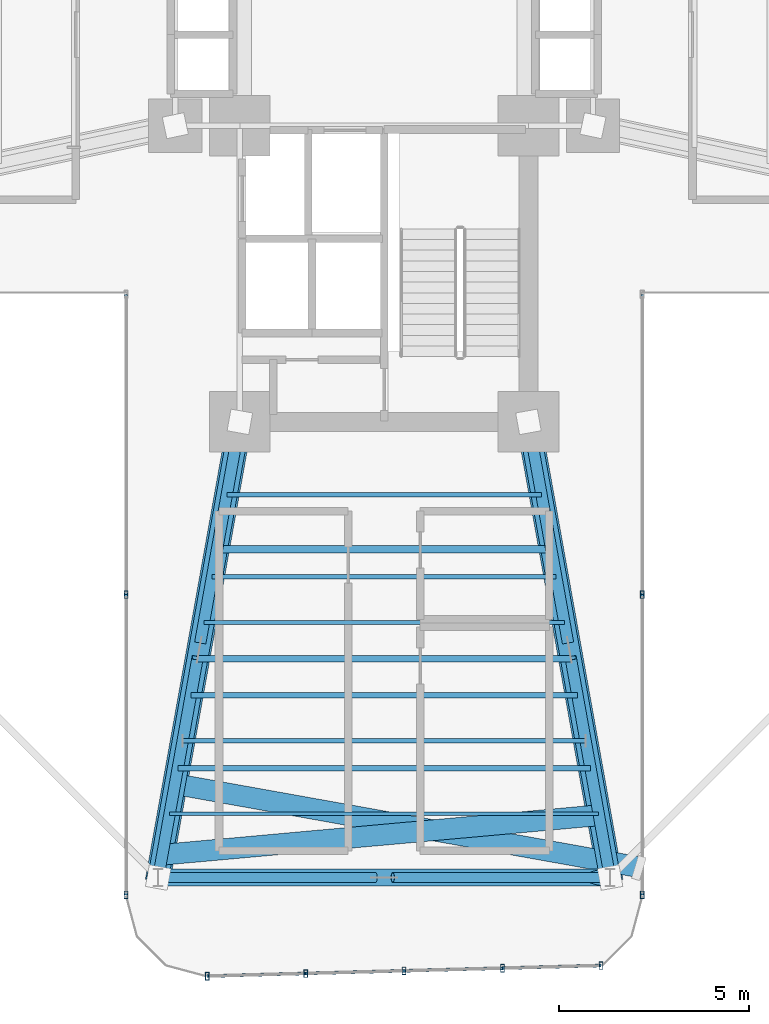
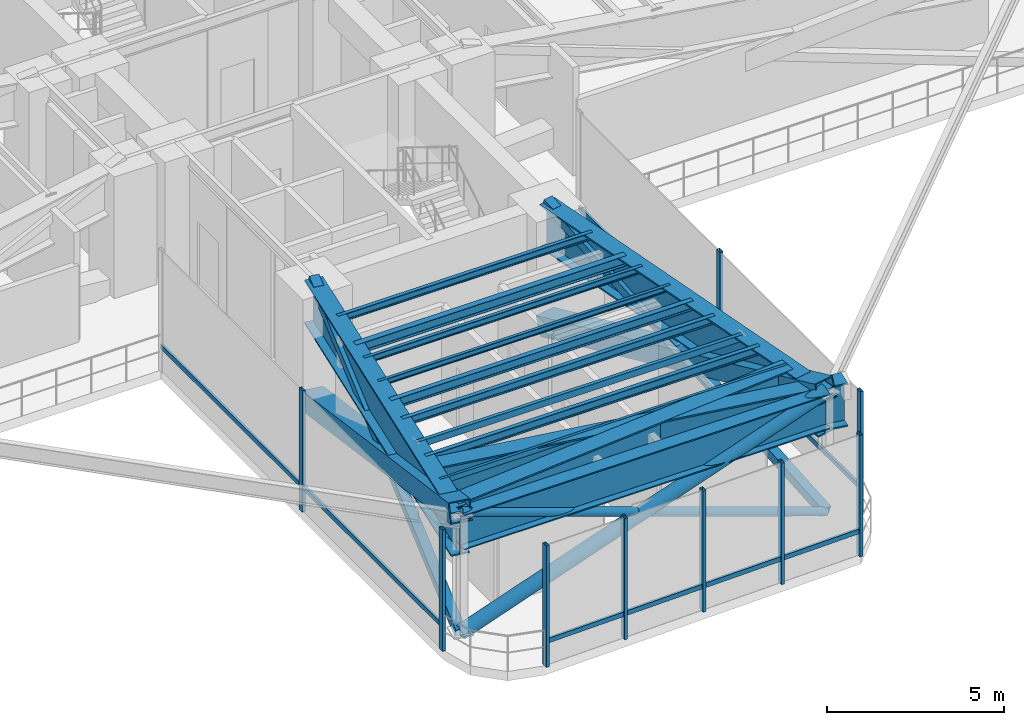
# One storey, part 4 of 18: 26 members, 14 beams, 3 elements without a shape of their own.
"""IFC4 building model written with IfcOpenShell, lengths in metres."""

import ifcopenshell
import ifcopenshell.guid

model = None  # the IFC model being written
_history = None  # IfcOwnerHistory: only IFC2X3 demands one
_inside = {}  # id of a spatial element -> (the spatial element, [elements in it])
_under = {}  # id of a project, library or spatial element -> (it, [spatial elements below it])
_declared = {}  # id of a project -> (the project, [libraries it declares])
_typed = {}  # id of a type object -> (the type object, [elements of that type])
_made_of = {}  # id of a material, layer set ... -> (it, [elements and type objects made of it])


def new_model(schema):
    """Start an empty IFC model of exactly this schema.

    Asked for "IFC4X3", IfcOpenShell would pick the latest addendum, in which some entities
    have other attributes; the version numbers below select the first issue.
    IFC2X3 requires an IfcOwnerHistory on every rooted entity: one is made here for all.
    """
    global model, _history
    if schema == "IFC4X3":
        model = ifcopenshell.file(schema_version=(4, 3, 0, 0))
    else:
        model = ifcopenshell.file(schema=schema)
    _inside.clear()
    _under.clear()
    _declared.clear()
    _typed.clear()
    _made_of.clear()
    _history = None
    if model.schema == "IFC2X3":
        org = make("IfcOrganization", Name="unknown")
        user = make(
            "IfcPersonAndOrganization",
            ThePerson=make("IfcPerson", FamilyName="unknown"),
            TheOrganization=org,
        )
        app = make(
            "IfcApplication",
            ApplicationDeveloper=org,
            Version="unknown",
            ApplicationFullName="unknown",
            ApplicationIdentifier="unknown",
        )
        _history = make(
            "IfcOwnerHistory",
            OwningUser=user,
            OwningApplication=app,
            ChangeAction="ADDED",
            CreationDate=0,
        )
    return model


def make(cls, **values):
    """One entity of the class cls with the attributes given. An attribute that is None is left unset."""
    return model.create_entity(
        cls, **{name: value for name, value in values.items() if value is not None}
    )


def rooted(cls, **values):
    """An entity with a GlobalId (a new one), such as an element, a storey or a relation."""
    return make(cls, GlobalId=ifcopenshell.guid.new(), OwnerHistory=_history, **values)


def si_unit(unit_type, name, prefix=None):
    """IfcSIUnit, for example si_unit("LENGTHUNIT", "METRE", prefix="MILLI")."""
    return make("IfcSIUnit", UnitType=unit_type, Prefix=prefix, Name=name)


def assignment(units):
    """IfcUnitAssignment: the units of a project."""
    return None if units is None else make("IfcUnitAssignment", Units=units)


def point(xyz):
    """IfcCartesianPoint."""
    return None if xyz is None else make("IfcCartesianPoint", Coordinates=xyz)


def direction(xyz):
    """IfcDirection."""
    return None if xyz is None else make("IfcDirection", DirectionRatios=xyz)


def frame(location, z_axis=None, x_axis=None):
    """IfcAxis2Placement3D, a coordinate frame: its origin and axes. An axis left out is left unset."""
    return make(
        "IfcAxis2Placement3D",
        Location=point(location),
        Axis=direction(z_axis),
        RefDirection=direction(x_axis),
    )


def frame_2d(location, x_axis=None):
    """IfcAxis2Placement2D, a coordinate frame in the plane: its origin and x axis."""
    return make(
        "IfcAxis2Placement2D", Location=point(location), RefDirection=direction(x_axis)
    )


def origin():
    """The frame at (0, 0, 0) with its axes left unset."""
    return frame((0.0, 0.0, 0.0))


def origin_2d():
    """The frame at (0, 0) in the plane with its x axis left unset."""
    return frame_2d((0.0, 0.0))


def place(relative_to, where):
    """IfcLocalPlacement: puts the frame where relative to a parent placement (None: the world)."""
    return make(
        "IfcLocalPlacement", PlacementRelTo=relative_to, RelativePlacement=where
    )


def context(
    kind, dimensions, precision=None, world=None, true_north=None, identifier=None
):
    """IfcGeometricRepresentationContext, for example the 3D "Model" context."""
    return make(
        "IfcGeometricRepresentationContext",
        ContextIdentifier=identifier,
        ContextType=kind,
        CoordinateSpaceDimension=dimensions,
        Precision=precision,
        WorldCoordinateSystem=world,
        TrueNorth=true_north,
    )


def subcontext(parent, identifier, kind, view, scale=None):
    """IfcGeometricRepresentationSubContext, for example "Body" below "Model"."""
    return make(
        "IfcGeometricRepresentationSubContext",
        ContextIdentifier=identifier,
        ContextType=kind,
        ParentContext=parent,
        TargetScale=scale,
        TargetView=view,
    )


def project(units=None, contexts=None):
    """IfcProject with its units and contexts."""
    return rooted(
        "IfcProject",
        Name="project",
        RepresentationContexts=contexts,
        UnitsInContext=assignment(units),
    )


def spatial(cls, under=None, at=None, **own):
    """A site, building, storey or space (cls), placed at a placement, below another one or the project."""
    s = rooted(cls, ObjectPlacement=at, **own)
    if under is not None:
        _under.setdefault(under.id(), (under, []))[1].append(s)
    return s


def profile(cls, at=None, kind="AREA", **sizes):
    """A parametric profile (cls). Its sizes go by their IFC names, for example OverallWidth=200.0."""
    return make(cls, ProfileType=kind, Position=at, **sizes)


def hollow_rectangle(**sizes):
    """IfcRectangleHollowProfileDef."""
    return profile("IfcRectangleHollowProfileDef", **sizes)


def hollow_circle(**sizes):
    """IfcCircleHollowProfileDef."""
    return profile("IfcCircleHollowProfileDef", **sizes)


def i_section(**sizes):
    """IfcIShapeProfileDef."""
    return profile("IfcIShapeProfileDef", **sizes)


def extrude(swept, where, along, depth):
    """IfcExtrudedAreaSolid: the profile swept, set in the frame where, extruded along a direction by depth."""
    return make(
        "IfcExtrudedAreaSolid",
        SweptArea=swept,
        Position=where,
        ExtrudedDirection=direction(along),
        Depth=depth,
    )


def shape(context_of_items, identifier, shape_type, items):
    """IfcShapeRepresentation: the items that make up one representation, for example the "Body"."""
    return make(
        "IfcShapeRepresentation",
        ContextOfItems=context_of_items,
        RepresentationIdentifier=identifier,
        RepresentationType=shape_type,
        Items=items,
    )


def source(mapping_origin, context_of_items, identifier, shape_type, items):
    """IfcRepresentationMap: a shape defined once, which mapped items show again and again."""
    return make(
        "IfcRepresentationMap",
        MappingOrigin=mapping_origin,
        MappedRepresentation=shape(context_of_items, identifier, shape_type, items),
    )


def transform(
    local_origin,
    x_axis=None,
    y_axis=None,
    z_axis=None,
    scale=None,
    scale2=None,
    scale3=None,
    uniform=True,
):
    """IfcCartesianTransformationOperator3D, or its non-uniform kind. x_axis, y_axis, z_axis: its Axis1, 2, 3."""
    if uniform:
        return make(
            "IfcCartesianTransformationOperator3D",
            Axis1=direction(x_axis),
            Axis2=direction(y_axis),
            LocalOrigin=point(local_origin),
            Scale=scale,
            Axis3=direction(z_axis),
        )
    return make(
        "IfcCartesianTransformationOperator3DnonUniform",
        Axis1=direction(x_axis),
        Axis2=direction(y_axis),
        LocalOrigin=point(local_origin),
        Scale=scale,
        Axis3=direction(z_axis),
        Scale2=scale2,
        Scale3=scale3,
    )


def mapped(mapping_source, mapping_target):
    """IfcMappedItem: shows the shape of a source again, moved by a transform."""
    return make(
        "IfcMappedItem", MappingSource=mapping_source, MappingTarget=mapping_target
    )


def material(Name=None, Category=None):
    """IfcMaterial."""
    return make("IfcMaterial", Name=Name, Category=Category)


def material_profile(
    of_material, cross_section, Name=None, Category=None, Priority=None
):
    """IfcMaterialProfile: a cross section and its material."""
    return make(
        "IfcMaterialProfile",
        Name=Name,
        Material=of_material,
        Profile=cross_section,
        Priority=Priority,
        Category=Category,
    )


def profile_set(profiles, Name=None, composite=None):
    """IfcMaterialProfileSet."""
    return make(
        "IfcMaterialProfileSet",
        Name=Name,
        MaterialProfiles=profiles,
        CompositeProfile=composite,
    )


def made_of(thing, what):
    """Note that an element or type object is made of a material, layer set ...; save() writes the relation."""
    if what is not None:
        _made_of.setdefault(what.id(), (what, []))[1].append(thing)
    return thing


def type_object(cls, material=None, **own):
    """A type object (cls), such as IfcWallType, which elements share."""
    return made_of(rooted(cls, **own), material)


def element(
    cls,
    number,
    at=None,
    inside=None,
    cuts=None,
    type_object=None,
    material=None,
    context=None,
    identifier="Body",
    shape_type=None,
    held_by="IfcProductDefinitionShape",
    body=None,
    shapes=None,
    **own,
):
    """One element of the class cls, such as IfcWall. Its Tag is "e" and its number.

    at: its placement. inside: the storey or other place that contains it. cuts: it is an
    opening in that element (IfcRelVoidsElement). A single representation is given by context,
    identifier, shape_type and body (its items); several are given by shapes. held_by: the class
    of the entity that holds the representations. save() writes the other relations.
    """
    e = rooted(cls, Tag="e%d" % number, ObjectPlacement=at, **own)
    if body is not None:
        shapes = [shape(context, identifier, shape_type, body)]
    if shapes is not None:
        e.Representation = make(held_by, Representations=shapes)
    if inside is not None:
        _inside.setdefault(inside.id(), (inside, []))[1].append(e)
    if cuts is not None:
        rooted(
            "IfcRelVoidsElement", RelatingBuildingElement=cuts, RelatedOpeningElement=e
        )
    if type_object is not None:
        _typed.setdefault(type_object.id(), (type_object, []))[1].append(e)
    return made_of(e, material)


def aggregate(whole, parts):
    """IfcRelAggregates: a whole, such as a stair, and the parts it consists of."""
    return rooted("IfcRelAggregates", RelatingObject=whole, RelatedObjects=parts)


def save(model, path):
    """Write the relations noted so far, then the file.

    IfcRelAggregates (storeys below a building ...), IfcRelContainedInSpatialStructure (elements
    in a storey), IfcRelDefinesByType, IfcRelAssociatesMaterial and IfcRelDeclares: one each for
    every whole, place, type object, material and project.
    """
    for whole, parts in _under.values():
        aggregate(whole, parts)
    for where, things in _inside.values():
        rooted(
            "IfcRelContainedInSpatialStructure",
            RelatedElements=things,
            RelatingStructure=where,
        )
    for kind, things in _typed.values():
        rooted("IfcRelDefinesByType", RelatedObjects=things, RelatingType=kind)
    for what, things in _made_of.values():
        rooted("IfcRelAssociatesMaterial", RelatedObjects=things, RelatingMaterial=what)
    for by, libraries in _declared.values():
        rooted("IfcRelDeclares", RelatingContext=by, RelatedDefinitions=libraries)
    model.write(path)


model = new_model("IFC4")

# Units and contexts
model_context = context("Model", 3, precision=1e-05, world=origin(), true_north=direction((0.0, 1.0)))
body_context = subcontext(model_context, "Body", "Model", "MODEL_VIEW")
ifc_project = project(units=[si_unit("LENGTHUNIT", "METRE"), si_unit("AREAUNIT", "SQUARE_METRE"), si_unit("VOLUMEUNIT", "CUBIC_METRE"), si_unit("PLANEANGLEUNIT", "RADIAN"), si_unit("MASSUNIT", "GRAM", prefix="KILO")], contexts=[model_context])

# Site, building, storey
site_placement = place(None, origin())
site = spatial("IfcSite", under=ifc_project, at=site_placement, CompositionType="ELEMENT")
building_placement = place(site_placement, origin())
building = spatial("IfcBuilding", under=site, at=building_placement, Name="Sahyath Konkavel Grand Hotel", CompositionType="ELEMENT")
storey_placement = place(building_placement, frame((0.0, 0.0, 74.5)))
storey = spatial("IfcBuildingStorey", under=building, at=storey_placement, Name="L20", CompositionType="ELEMENT", Elevation=74.5)

# Beams
ifc_material_1 = material(Name="Steel E450", Category="steel")
ifc_material_profile_1 = material_profile(ifc_material_1, i_section(OverallWidth=0.550048828125, OverallDepth=1.5, WebThickness=0.028076171875, FlangeThickness=0.050048828125, at=origin_2d()), Name="BPG 1500x550")
ifc_profile_set_1 = profile_set([ifc_material_profile_1], Name="Steel E450")
beam_type_1 = type_object("IfcBeamType", Name="BM-BPG1500", PredefinedType="BEAM", material=ifc_profile_set_1)
shared_shape_1 = source(origin(), body_context, "Body", "SweptSolid", [
    extrude(i_section(OverallWidth=0.550048828125, OverallDepth=1.5, WebThickness=0.028076171875, FlangeThickness=0.050048828125, at=origin_2d()), origin(), (0.0, 0.0, 1.0), 12.191162109375),
])
for number, where, z_axis, x_axis, name in (
    (1, (-3.800048828125, -10.199951171875, 3.429931640625), (-0.176350650305, -0.984327409014, 0.0), (0.984327409014, -0.176350650305, 0.0), "L20 Setback Transfer Girder SA"),
    (2, (3.800048828125, -10.199951171875, 3.429931640625), (0.176350650305, -0.984327409014, 0.0), (0.984327409014, 0.176350650305, 0.0), "L20 Setback Transfer Girder SB"),
):
    element("IfcBeam", number, at=place(storey_placement, frame(where, z_axis=z_axis, x_axis=x_axis)), inside=storey, type_object=beam_type_1, Name=name, PredefinedType="BEAM", context=body_context, shape_type="MappedRepresentation", body=[
        mapped(shared_shape_1, transform((0.0, 0.0, 0.0), scale=1.0)),
    ])

# Members
ifc_material_profile_2 = material_profile(ifc_material_1, hollow_rectangle(XDim=0.64990234375, YDim=0.64990234375, WallThickness=0.031982421875, at=origin_2d()), Name="BOX 650x650x32")
ifc_profile_set_2 = profile_set([ifc_material_profile_2], Name="Steel E450")
member_type_1 = type_object("IfcMemberType", Name="BR-BOX650", PredefinedType="BRACE", material=ifc_profile_set_2)
shared_shape_2 = source(origin(), body_context, "Body", "SweptSolid", [
    extrude(hollow_rectangle(XDim=0.64990234375, YDim=0.64990234375, WallThickness=0.031982421875, at=origin_2d()), origin(), (0.0, 0.0, 1.0), 12.88134765625),
])
for number, where, z_axis, x_axis, name in (
    (3, (-3.800048828125, -10.199951171875, 0.010009765625), (-0.166901511413, -0.931585633543, 0.322942863158), (0.984327409014, -0.176350650305, 0.0), "L20 Core Outrigger Truss SA Continuous Diagonal 1"),
    (4, (3.800048828125, -10.199951171875, 0.010009765625), (0.166901511413, -0.931585633543, 0.322942863158), (0.984327409014, 0.176350650305, 0.0), "L20 Core Outrigger Truss SB Continuous Diagonal 1"),
):
    element("IfcMember", number, at=place(storey_placement, frame(where, z_axis=z_axis, x_axis=x_axis)), inside=storey, type_object=member_type_1, Name=name, PredefinedType="BRACE", context=body_context, shape_type="MappedRepresentation", body=[
        mapped(shared_shape_2, transform((0.0, 0.0, 0.0), scale=1.0)),
    ])

# Beams
ifc_material_2 = material(Name="Steel E350", Category="steel")
ifc_material_profile_3 = material_profile(ifc_material_2, i_section(OverallWidth=0.199951171875, OverallDepth=0.35009765625, WebThickness=0.008056640625, FlangeThickness=0.011474609375, FilletRadius=0.013916015625, at=origin_2d()), Name="ISWB 350")
ifc_profile_set_3 = profile_set([ifc_material_profile_3], Name="Steel E350")
beam_type_2 = type_object("IfcBeamType", Name="BM-ISWB350", PredefinedType="BEAM", material=ifc_profile_set_3)
shared_shape_3 = source(origin(), body_context, "Body", "SweptSolid", [
    extrude(i_section(OverallWidth=0.199951171875, OverallDepth=0.35009765625, WebThickness=0.008056640625, FlangeThickness=0.011474609375, FilletRadius=0.013916015625, at=origin_2d()), origin(), (0.0, 0.0, 1.0), 8.80419921875),
])
beam_1_placement = place(storey_placement, frame((-4.402099609375, -13.56005859375, 4.0048828125), z_axis=(1.0, 0.0, 0.0), x_axis=(0.0, 1.0, 0.0)))
element("IfcBeam", 5, at=beam_1_placement, inside=storey, type_object=beam_type_2, Name="L20 Secondary Floor Beam S-1", PredefinedType="BEAM", context=body_context, shape_type="MappedRepresentation", body=[
    mapped(shared_shape_3, transform((0.0, 0.0, 0.0), scale=1.0)),
])
ifc_material_profile_4 = material_profile(ifc_material_2, i_section(OverallWidth=0.1650390625, OverallDepth=0.324951171875, WebThickness=0.007080078125, FlangeThickness=0.009765625, FilletRadius=0.014892578125, at=origin_2d()), Name="ISLB 325")
ifc_profile_set_4 = profile_set([ifc_material_profile_4], Name="Steel E350")
beam_type_3 = type_object("IfcBeamType", Name="BM-ISLB325", PredefinedType="BEAM", material=ifc_profile_set_4)
shared_shape_4 = source(origin(), body_context, "Body", "SweptSolid", [
    extrude(i_section(OverallWidth=0.1650390625, OverallDepth=0.324951171875, WebThickness=0.007080078125, FlangeThickness=0.009765625, FilletRadius=0.014892578125, at=origin_2d()), origin(), (0.0, 0.0, 1.0), 9.8359375),
])
beam_2_placement = place(storey_placement, frame((-4.91796875, -16.43994140625, 4.017578125), z_axis=(1.0, 0.0, 0.0), x_axis=(0.0, 1.0, 0.0)))
element("IfcBeam", 6, at=beam_2_placement, inside=storey, type_object=beam_type_3, Name="L20 Secondary Floor Beam S-2", PredefinedType="BEAM", context=body_context, shape_type="MappedRepresentation", body=[
    mapped(shared_shape_4, transform((0.0, 0.0, 0.0), scale=1.0)),
])
ifc_material_profile_5 = material_profile(ifc_material_2, i_section(OverallWidth=0.139892578125, OverallDepth=0.300048828125, WebThickness=0.0078125, FlangeThickness=0.01318359375, FilletRadius=0.013916015625, at=origin_2d()), Name="ISMB 300")
ifc_profile_set_5 = profile_set([ifc_material_profile_5], Name="Steel E350")
beam_type_4 = type_object("IfcBeamType", Name="BM-ISMB300", PredefinedType="BEAM", material=ifc_profile_set_5)
shared_shape_5 = source(origin(), body_context, "Body", "SweptSolid", [
    extrude(i_section(OverallWidth=0.139892578125, OverallDepth=0.300048828125, WebThickness=0.0078125, FlangeThickness=0.01318359375, FilletRadius=0.013916015625, at=origin_2d()), origin(), (0.0, 0.0, 1.0), 10.8681640625),
])
beam_3_placement = place(storey_placement, frame((-5.43408203125, -19.320068359375, 4.030029296875), z_axis=(1.0, 0.0, 0.0), x_axis=(0.0, 1.0, 0.0)))
element("IfcBeam", 7, at=beam_3_placement, inside=storey, type_object=beam_type_4, Name="L20 Secondary Floor Beam S-3", PredefinedType="BEAM", context=body_context, shape_type="MappedRepresentation", body=[
    mapped(shared_shape_5, transform((0.0, 0.0, 0.0), scale=1.0)),
])
shared_shape_6 = source(origin(), body_context, "Body", "SweptSolid", [
    extrude(i_section(OverallWidth=0.550048828125, OverallDepth=1.5, WebThickness=0.028076171875, FlangeThickness=0.050048828125, at=origin_2d()), origin(), (0.0, 0.0, 1.0), 11.545654296875),
])
beam_4_placement = place(storey_placement, frame((-5.842529296875, -21.60009765625, 3.429931640625), z_axis=(0.995938319942, 0.09003811899, 0.0), x_axis=(-0.09003811899, 0.995938319942, 0.0)))
element("IfcBeam", 8, at=beam_4_placement, inside=storey, type_object=beam_type_1, Name="L20 Setback Cross Transfer Girder S-1", PredefinedType="BEAM", context=body_context, shape_type="MappedRepresentation", body=[
    mapped(shared_shape_6, transform((0.0, 0.0, 0.0), scale=1.0)),
])
shared_shape_7 = source(origin(), body_context, "Body", "SweptSolid", [
    extrude(i_section(OverallWidth=0.550048828125, OverallDepth=1.5, WebThickness=0.028076171875, FlangeThickness=0.050048828125, at=origin_2d()), origin(), (0.0, 0.0, 1.0), 12.41650390625),
])
beam_5_placement = place(storey_placement, frame((-5.509033203125, -19.73828125, 3.429931640625), z_axis=(0.984326914453, -0.176353410753, 0.0), x_axis=(0.176353410753, 0.984326914453, 0.0)))
element("IfcBeam", 9, at=beam_5_placement, inside=storey, type_object=beam_type_1, Name="L20 Setback Cross Transfer Girder S-2", PredefinedType="BEAM", context=body_context, shape_type="MappedRepresentation", body=[
    mapped(shared_shape_7, transform((0.0, 0.0, 0.0), scale=1.0)),
])
ifc_material_profile_6 = material_profile(ifc_material_1, i_section(OverallWidth=0.449951171875, OverallDepth=1.199951171875, WebThickness=0.02197265625, FlangeThickness=0.0400390625, at=origin_2d()), Name="BPG 1200x450")
ifc_profile_set_6 = profile_set([ifc_material_profile_6], Name="Steel E450")
beam_type_5 = type_object("IfcBeamType", Name="BM-BPG1200", PredefinedType="BEAM", material=ifc_profile_set_6)
shared_shape_8 = source(origin(), body_context, "Body", "SweptSolid", [
    extrude(i_section(OverallWidth=0.449951171875, OverallDepth=1.199951171875, WebThickness=0.02197265625, FlangeThickness=0.0400390625, at=origin_2d()), origin(), (0.0, 0.0, 1.0), 11.89990234375),
])
beam_6_placement = place(storey_placement, frame((-5.949951171875, -22.199951171875, 3.580078125), z_axis=(1.0, 0.0, 0.0), x_axis=(0.0, 1.0, 0.0)))
element("IfcBeam", 10, at=beam_6_placement, inside=storey, type_object=beam_type_5, Name="L20 Wing Tip Edge Beam S", PredefinedType="BEAM", context=body_context, shape_type="MappedRepresentation", body=[
    mapped(shared_shape_8, transform((0.0, 0.0, 0.0), scale=1.0)),
])

# Members
ifc_material_profile_7 = material_profile(ifc_material_1, hollow_rectangle(XDim=0.300048828125, YDim=0.300048828125, WallThickness=0.01611328125, at=origin_2d()), Name="SHS 300x300x16")
ifc_profile_set_7 = profile_set([ifc_material_profile_7], Name="Steel E450")
member_type_2 = type_object("IfcMemberType", Name="BR-SHS300", PredefinedType="BRACE", material=ifc_profile_set_7)
shared_shape_9 = source(origin(), body_context, "Body", "SweptSolid", [
    extrude(hollow_rectangle(XDim=0.300048828125, YDim=0.300048828125, WallThickness=0.01611328125, at=origin_2d()), origin(), (0.0, 0.0, 1.0), 6.20068359375),
])
for number, where, z_axis, x_axis, name in (
    (11, (-5.949951171875, -22.199951171875, 0.010009765625), (0.16690560693, 0.931584491619, 0.322944040586), (-0.984326620303, 0.176355052556, 0.0), "L20 Core Outrigger Truss SA Split Lower Diagonal 2A"),
    (12, (-4.8349609375, -15.976318359375, 2.16748046875), (0.16690560693, 0.931584491619, 0.322944040586), (-0.984326620303, 0.176355052556, 0.0), "L20 Core Outrigger Truss SA Split Upper Diagonal 2B"),
    (13, (5.949951171875, -22.199951171875, 0.010009765625), (-0.16690560693, 0.931584491619, 0.322944040586), (-0.984326620303, -0.176355052556, 0.0), "L20 Core Outrigger Truss SB Split Lower Diagonal 2A"),
    (14, (4.8349609375, -15.976318359375, 2.16748046875), (-0.16690560693, 0.931584491619, 0.322944040586), (-0.984326620303, -0.176355052556, 0.0), "L20 Core Outrigger Truss SB Split Upper Diagonal 2B"),
):
    element("IfcMember", number, at=place(storey_placement, frame(where, z_axis=z_axis, x_axis=x_axis)), inside=storey, type_object=member_type_2, Name=name, PredefinedType="BRACE", context=body_context, shape_type="MappedRepresentation", body=[
        mapped(shared_shape_9, transform((0.0, 0.0, 0.0), scale=1.0)),
    ])
ifc_material_profile_8 = material_profile(ifc_material_1, hollow_circle(Radius=0.228515625, WallThickness=0.02001953125, at=origin_2d()), Name="CHS 457.0x20")
ifc_profile_set_8 = profile_set([ifc_material_profile_8], Name="Steel E450")
member_type_3 = type_object("IfcMemberType", Name="BR-CHS457", PredefinedType="BRACE", material=ifc_profile_set_8)
shared_shape_10 = source(origin(), body_context, "Body", "SweptSolid", [
    extrude(hollow_circle(Radius=0.228515625, WallThickness=0.02001953125, at=origin_2d()), origin(), (0.0, 0.0, 1.0), 12.60595703125),
])
member_1_placement = place(storey_placement, frame((-5.949951171875, -22.199951171875, 0.010009765625), z_axis=(0.943983289656, 0.0, 0.329993255764), x_axis=(0.0, 1.0, 0.0)))
element("IfcMember", 15, at=member_1_placement, inside=storey, type_object=member_type_3, Name="L20 Perimeter Belt Truss TIP-S Continuous Diagonal 1", PredefinedType="BRACE", context=body_context, shape_type="MappedRepresentation", body=[
    mapped(shared_shape_10, transform((0.0, 0.0, 0.0), scale=1.0)),
])
ifc_material_profile_9 = material_profile(ifc_material_2, hollow_circle(Radius=0.136474609375, WallThickness=0.011962890625, at=origin_2d()), Name="CHS 273.0x12")
ifc_profile_set_9 = profile_set([ifc_material_profile_9], Name="Steel E350")
member_type_4 = type_object("IfcMemberType", Name="BR-CHS273", PredefinedType="BRACE", material=ifc_profile_set_9)
shared_shape_11 = source(origin(), body_context, "Body", "SweptSolid", [
    extrude(hollow_circle(Radius=0.136474609375, WallThickness=0.011962890625, at=origin_2d()), origin(), (0.0, 0.0, 1.0), 6.06298828125),
])
for number, where, z_axis, x_axis, name in (
    (16, (5.949951171875, -22.199951171875, 0.010009765625), (-0.943984470097, 0.0, 0.329989878959), (0.0, -1.0, 0.0), "L20 Perimeter Belt Truss TIP-S Split Lower Diagonal 2A"),
    (17, (-0.2265625, -22.199951171875, 2.169189453125), (-0.943984470097, 0.0, 0.329989878959), (0.0, -1.0, 0.0), "L20 Perimeter Belt Truss TIP-S Split Upper Diagonal 2B"),
):
    element("IfcMember", number, at=place(storey_placement, frame(where, z_axis=z_axis, x_axis=x_axis)), inside=storey, type_object=member_type_4, Name=name, PredefinedType="BRACE", context=body_context, shape_type="MappedRepresentation", body=[
        mapped(shared_shape_11, transform((0.0, 0.0, 0.0), scale=1.0)),
    ])

# Beams
ifc_material_profile_10 = material_profile(ifc_material_2, i_section(OverallWidth=0.125, OverallDepth=0.25, WebThickness=0.0068359375, FlangeThickness=0.012451171875, FilletRadius=0.012939453125, at=origin_2d()), Name="ISMB 250")
ifc_profile_set_10 = profile_set([ifc_material_profile_10], Name="Steel E350")
beam_type_6 = type_object("IfcBeamType", Name="BM-ISMB250", PredefinedType="BEAM", material=ifc_profile_set_10)
shared_shape_12 = source(origin(), body_context, "Body", "SweptSolid", [
    extrude(i_section(OverallWidth=0.125, OverallDepth=0.25, WebThickness=0.0068359375, FlangeThickness=0.012451171875, FilletRadius=0.012939453125, at=origin_2d()), origin(), (0.0, 0.0, 1.0), 8.2880859375),
])
beam_7_placement = place(storey_placement, frame((-4.14404296875, -12.1201171875, 4.054931640625), z_axis=(1.0, 0.0, 0.0), x_axis=(0.0, 1.0, 0.0)))
element("IfcBeam", 18, at=beam_7_placement, inside=storey, type_object=beam_type_6, Name="L20 Composite Deck Sub-Beam S-1", PredefinedType="BEAM", context=body_context, shape_type="MappedRepresentation", body=[
    mapped(shared_shape_12, transform((0.0, 0.0, 0.0), scale=1.0)),
])
ifc_material_profile_11 = material_profile(ifc_material_2, i_section(OverallWidth=0.110107421875, OverallDepth=0.22509765625, WebThickness=0.006591796875, FlangeThickness=0.01171875, FilletRadius=0.011962890625, at=origin_2d()), Name="ISMB 225")
ifc_profile_set_11 = profile_set([ifc_material_profile_11], Name="Steel E350")
beam_type_7 = type_object("IfcBeamType", Name="BM-ISMB225", PredefinedType="BEAM", material=ifc_profile_set_11)
shared_shape_13 = source(origin(), body_context, "Body", "SweptSolid", [
    extrude(i_section(OverallWidth=0.110107421875, OverallDepth=0.22509765625, WebThickness=0.006591796875, FlangeThickness=0.01171875, FilletRadius=0.011962890625, at=origin_2d()), origin(), (0.0, 0.0, 1.0), 9.06201171875),
])
beam_8_placement = place(storey_placement, frame((-4.531005859375, -14.280029296875, 4.0673828125), z_axis=(1.0, 0.0, 0.0), x_axis=(0.0, 1.0, 0.0)))
element("IfcBeam", 19, at=beam_8_placement, inside=storey, type_object=beam_type_7, Name="L20 Composite Deck Sub-Beam S-2", PredefinedType="BEAM", context=body_context, shape_type="MappedRepresentation", body=[
    mapped(shared_shape_13, transform((0.0, 0.0, 0.0), scale=1.0)),
])
ifc_material_profile_12 = material_profile(ifc_material_2, i_section(OverallWidth=0.10009765625, OverallDepth=0.199951171875, WebThickness=0.005615234375, FlangeThickness=0.0107421875, FilletRadius=0.010986328125, at=origin_2d()), Name="ISMB 200")
ifc_profile_set_12 = profile_set([ifc_material_profile_12], Name="Steel E350")
beam_type_8 = type_object("IfcBeamType", Name="BM-ISMB200", PredefinedType="BEAM", material=ifc_profile_set_12)
shared_shape_14 = source(origin(), body_context, "Body", "SweptSolid", [
    extrude(i_section(OverallWidth=0.10009765625, OverallDepth=0.199951171875, WebThickness=0.005615234375, FlangeThickness=0.0107421875, FilletRadius=0.010986328125, at=origin_2d()), origin(), (0.0, 0.0, 1.0), 9.4921875),
])
beam_9_placement = place(storey_placement, frame((-4.74609375, -15.47998046875, 4.080078125), z_axis=(1.0, 0.0, 0.0), x_axis=(0.0, 1.0, 0.0)))
element("IfcBeam", 20, at=beam_9_placement, inside=storey, type_object=beam_type_8, Name="L20 Composite Deck Sub-Beam S-3", PredefinedType="BEAM", context=body_context, shape_type="MappedRepresentation", body=[
    mapped(shared_shape_14, transform((0.0, 0.0, 0.0), scale=1.0)),
])
ifc_material_profile_13 = material_profile(ifc_material_2, i_section(OverallWidth=0.139892578125, OverallDepth=0.27490234375, WebThickness=0.00634765625, FlangeThickness=0.0087890625, FilletRadius=0.012939453125, at=origin_2d()), Name="ISLB 275")
ifc_profile_set_13 = profile_set([ifc_material_profile_13], Name="Steel E350")
beam_type_9 = type_object("IfcBeamType", Name="BM-ISLB275", PredefinedType="BEAM", material=ifc_profile_set_13)
shared_shape_15 = source(origin(), body_context, "Body", "SweptSolid", [
    extrude(i_section(OverallWidth=0.139892578125, OverallDepth=0.27490234375, WebThickness=0.00634765625, FlangeThickness=0.0087890625, FilletRadius=0.012939453125, at=origin_2d()), origin(), (0.0, 0.0, 1.0), 10.18017578125),
])
beam_10_placement = place(storey_placement, frame((-5.090087890625, -17.39990234375, 4.04248046875), z_axis=(1.0, 0.0, 0.0), x_axis=(0.0, 1.0, 0.0)))
element("IfcBeam", 21, at=beam_10_placement, inside=storey, type_object=beam_type_9, Name="L20 Composite Deck Sub-Beam S-4", PredefinedType="BEAM", context=body_context, shape_type="MappedRepresentation", body=[
    mapped(shared_shape_15, transform((0.0, 0.0, 0.0), scale=1.0)),
])
ifc_material_profile_14 = material_profile(ifc_material_2, hollow_rectangle(XDim=0.1201171875, YDim=0.219970703125, WallThickness=0.010009765625, at=origin_2d()), Name="RHS 220x120x10")
ifc_profile_set_14 = profile_set([ifc_material_profile_14], Name="Steel E350")
beam_type_10 = type_object("IfcBeamType", Name="BM-RHS220", PredefinedType="BEAM", material=ifc_profile_set_14)
shared_shape_16 = source(origin(), body_context, "Body", "SweptSolid", [
    extrude(hollow_rectangle(XDim=0.1201171875, YDim=0.219970703125, WallThickness=0.010009765625, at=origin_2d()), origin(), (0.0, 0.0, 1.0), 10.60986328125),
])
beam_11_placement = place(storey_placement, frame((-5.304931640625, -18.60009765625, 4.070068359375), z_axis=(1.0, 0.0, 0.0), x_axis=(0.0, 1.0, 0.0)))
element("IfcBeam", 22, at=beam_11_placement, inside=storey, type_object=beam_type_10, Name="L20 Composite Deck Sub-Beam S-5", PredefinedType="BEAM", context=body_context, shape_type="MappedRepresentation", body=[
    mapped(shared_shape_16, transform((0.0, 0.0, 0.0), scale=1.0)),
])
ifc_material_profile_15 = material_profile(ifc_material_2, hollow_rectangle(XDim=0.090087890625, YDim=0.179931640625, WallThickness=0.008056640625, at=origin_2d()), Name="RHS 180x90x8")
ifc_profile_set_15 = profile_set([ifc_material_profile_15], Name="Steel E350")
beam_type_11 = type_object("IfcBeamType", Name="BM-RHS180", PredefinedType="BEAM", material=ifc_profile_set_15)
shared_shape_17 = source(origin(), body_context, "Body", "SweptSolid", [
    extrude(hollow_rectangle(XDim=0.090087890625, YDim=0.179931640625, WallThickness=0.008056640625, at=origin_2d()), origin(), (0.0, 0.0, 1.0), 11.2978515625),
])
beam_12_placement = place(storey_placement, frame((-5.64892578125, -20.52001953125, 4.090087890625), z_axis=(1.0, 0.0, 0.0), x_axis=(0.0, 1.0, 0.0)))
element("IfcBeam", 23, at=beam_12_placement, inside=storey, type_object=beam_type_11, Name="L20 Composite Deck Sub-Beam S-6", PredefinedType="BEAM", context=body_context, shape_type="MappedRepresentation", body=[
    mapped(shared_shape_17, transform((0.0, 0.0, 0.0), scale=1.0)),
])

# Curtain wall, members
ifc_material_3 = material(Name="Anodised Bronze Aluminium & Low-E Glazing", Category="aluminium")
curtain_wall_type = type_object("IfcCurtainWallType", Name="CW-SKYLOBBY", PredefinedType="NOTDEFINED", material=ifc_material_3)
curtain_wall_1_placement = place(storey_placement, origin())
curtain_wall_1 = element("IfcCurtainWall", 24, at=curtain_wall_1_placement, inside=storey, type_object=curtain_wall_type, Name="L20 Unitised Curtain Wall RF24", PredefinedType="NOTDEFINED")
ifc_material_4 = material(Name="Anodised Bronze Aluminium", Category="aluminium")
ifc_material_profile_16 = material_profile(ifc_material_4, hollow_rectangle(XDim=0.10009765625, YDim=0.199951171875, WallThickness=0.008056640625, at=origin_2d()), Name="RHS 200x100x8")
ifc_profile_set_16 = profile_set([ifc_material_profile_16], Name="Anodised Bronze Aluminium")
member_type_5 = type_object("IfcMemberType", Name="CW-MUL-200", PredefinedType="MULLION", material=ifc_profile_set_16)
shared_shape_18 = source(origin(), body_context, "Body", "SweptSolid", [
    extrude(hollow_rectangle(XDim=0.10009765625, YDim=0.199951171875, WallThickness=0.008056640625, at=origin_2d()), origin(), (0.0, 0.0, 1.0), 4.179931640625),
])
member_2_placement = place(storey_placement, frame((-6.800048828125, -14.75, 0.0), z_axis=(0.0, 0.0, 1.0), x_axis=(1.0, 0.0, 0.0)))
member_2 = element("IfcMember", 25, at=member_2_placement, type_object=member_type_5, Name="L20 Curtain Wall Mullion RF24-1", PredefinedType="MULLION", context=body_context, shape_type="MappedRepresentation", body=[
    mapped(shared_shape_18, transform((0.0, 0.0, 0.0), scale=1.0)),
])
member_3_placement = place(storey_placement, frame((-6.800048828125, -22.659912109375, 0.0), z_axis=(0.0, 0.0, 1.0), x_axis=(1.0, 0.0, 0.0)))
member_3 = element("IfcMember", 26, at=member_3_placement, type_object=member_type_5, Name="L20 Curtain Wall Mullion RF24-2", PredefinedType="MULLION", context=body_context, shape_type="MappedRepresentation", body=[
    mapped(shared_shape_18, transform((0.0, 0.0, 0.0), scale=1.0)),
])

curtain_wall_2_placement = place(storey_placement, origin())
curtain_wall_2 = element("IfcCurtainWall", 27, at=curtain_wall_2_placement, inside=storey, type_object=curtain_wall_type, Name="L20 Unitised Curtain Wall RF28", PredefinedType="NOTDEFINED")
member_4_placement = place(storey_placement, frame((-4.659912109375, -24.798828125, 0.0), z_axis=(0.0, 0.0, 1.0), x_axis=(1.0, 0.0, 0.0)))
member_4 = element("IfcMember", 28, at=member_4_placement, type_object=member_type_5, Name="L20 Curtain Wall Mullion RF28-0", PredefinedType="MULLION", context=body_context, shape_type="MappedRepresentation", body=[
    mapped(shared_shape_18, transform((0.0, 0.0, 0.0), scale=1.0)),
])
member_5_placement = place(storey_placement, frame((-2.0673828125, -24.72900390625, 0.0), z_axis=(0.0, 0.0, 1.0), x_axis=(1.0, 0.0, 0.0)))
member_5 = element("IfcMember", 29, at=member_5_placement, type_object=member_type_5, Name="L20 Curtain Wall Mullion RF28-1", PredefinedType="MULLION", context=body_context, shape_type="MappedRepresentation", body=[
    mapped(shared_shape_18, transform((0.0, 0.0, 0.0), scale=1.0)),
])
member_6_placement = place(storey_placement, frame((0.52490234375, -24.6591796875, 0.0), z_axis=(0.0, 0.0, 1.0), x_axis=(1.0, 0.0, 0.0)))
member_6 = element("IfcMember", 30, at=member_6_placement, type_object=member_type_5, Name="L20 Curtain Wall Mullion RF28-2", PredefinedType="MULLION", context=body_context, shape_type="MappedRepresentation", body=[
    mapped(shared_shape_18, transform((0.0, 0.0, 0.0), scale=1.0)),
])
member_7_placement = place(storey_placement, frame((3.117431640625, -24.589599609375, 0.0), z_axis=(0.0, 0.0, 1.0), x_axis=(1.0, 0.0, 0.0)))
member_7 = element("IfcMember", 31, at=member_7_placement, type_object=member_type_5, Name="L20 Curtain Wall Mullion RF28-3", PredefinedType="MULLION", context=body_context, shape_type="MappedRepresentation", body=[
    mapped(shared_shape_18, transform((0.0, 0.0, 0.0), scale=1.0)),
])
member_8_placement = place(storey_placement, frame((5.7099609375, -24.519775390625, 0.0), z_axis=(0.0, 0.0, 1.0), x_axis=(1.0, 0.0, 0.0)))
member_8 = element("IfcMember", 32, at=member_8_placement, type_object=member_type_5, Name="L20 Curtain Wall Mullion RF28-4", PredefinedType="MULLION", context=body_context, shape_type="MappedRepresentation", body=[
    mapped(shared_shape_18, transform((0.0, 0.0, 0.0), scale=1.0)),
])

curtain_wall_3_placement = place(storey_placement, origin())
curtain_wall_3 = element("IfcCurtainWall", 33, at=curtain_wall_3_placement, inside=storey, type_object=curtain_wall_type, Name="L20 Unitised Curtain Wall RF31", PredefinedType="NOTDEFINED")
member_9_placement = place(storey_placement, frame((6.800048828125, -22.659912109375, 0.0), z_axis=(0.0, 0.0, 1.0), x_axis=(1.0, 0.0, 0.0)))
member_9 = element("IfcMember", 34, at=member_9_placement, type_object=member_type_5, Name="L20 Curtain Wall Mullion RF31-0", PredefinedType="MULLION", context=body_context, shape_type="MappedRepresentation", body=[
    mapped(shared_shape_18, transform((0.0, 0.0, 0.0), scale=1.0)),
])
member_10_placement = place(storey_placement, frame((6.800048828125, -14.75, 0.0), z_axis=(0.0, 0.0, 1.0), x_axis=(1.0, 0.0, 0.0)))
member_10 = element("IfcMember", 35, at=member_10_placement, type_object=member_type_5, Name="L20 Curtain Wall Mullion RF31-1", PredefinedType="MULLION", context=body_context, shape_type="MappedRepresentation", body=[
    mapped(shared_shape_18, transform((0.0, 0.0, 0.0), scale=1.0)),
])

# Member
ifc_material_profile_17 = material_profile(ifc_material_4, hollow_rectangle(XDim=0.080078125, YDim=0.159912109375, WallThickness=0.006103515625, at=origin_2d()), Name="RHS 160x80x6")
ifc_profile_set_17 = profile_set([ifc_material_profile_17], Name="Anodised Bronze Aluminium")
member_type_6 = type_object("IfcMemberType", Name="CW-TRN-160", PredefinedType="USERDEFINED", material=ifc_profile_set_17)
shared_shape_19 = source(origin(), body_context, "Body", "SweptSolid", [
    extrude(hollow_rectangle(XDim=0.080078125, YDim=0.159912109375, WallThickness=0.006103515625, at=origin_2d()), origin(), (0.0, 0.0, 1.0), 7.909912109375),
])
member_11_placement = place(storey_placement, frame((-6.800048828125, -6.840087890625, 0.85009765625), z_axis=(0.0, -1.0, 0.0), x_axis=(1.0, 0.0, 0.0)))
member_11 = element("IfcMember", 36, at=member_11_placement, type_object=member_type_6, Name="L20 Curtain Wall Transom RF24-0-spandrel", ObjectType="TRANSOM", PredefinedType="USERDEFINED", context=body_context, shape_type="MappedRepresentation", body=[
    mapped(shared_shape_19, transform((0.0, 0.0, 0.0), scale=1.0)),
])

member_12_placement = place(storey_placement, frame((-6.800048828125, -14.75, 0.85009765625), z_axis=(0.0, -1.0, 0.0), x_axis=(1.0, 0.0, 0.0)))
member_12 = element("IfcMember", 37, at=member_12_placement, type_object=member_type_6, Name="L20 Curtain Wall Transom RF24-1-spandrel", ObjectType="TRANSOM", PredefinedType="USERDEFINED", context=body_context, shape_type="MappedRepresentation", body=[
    mapped(shared_shape_19, transform((0.0, 0.0, 0.0), scale=1.0)),
])

aggregate(curtain_wall_1, [member_2, member_3, member_11, member_12])

member_13_placement = place(storey_placement, frame((6.800048828125, -22.659912109375, 0.85009765625), z_axis=(0.0, 1.0, 0.0), x_axis=(-1.0, 0.0, 0.0)))
member_13 = element("IfcMember", 38, at=member_13_placement, type_object=member_type_6, Name="L20 Curtain Wall Transom RF31-0-spandrel", ObjectType="TRANSOM", PredefinedType="USERDEFINED", context=body_context, shape_type="MappedRepresentation", body=[
    mapped(shared_shape_19, transform((0.0, 0.0, 0.0), scale=1.0)),
])

member_14_placement = place(storey_placement, frame((6.800048828125, -14.75, 0.85009765625), z_axis=(0.0, 1.0, 0.0), x_axis=(-1.0, 0.0, 0.0)))
member_14 = element("IfcMember", 39, at=member_14_placement, type_object=member_type_6, Name="L20 Curtain Wall Transom RF31-1-spandrel", ObjectType="TRANSOM", PredefinedType="USERDEFINED", context=body_context, shape_type="MappedRepresentation", body=[
    mapped(shared_shape_19, transform((0.0, 0.0, 0.0), scale=1.0)),
])

aggregate(curtain_wall_3, [member_9, member_10, member_13, member_14])

shared_shape_20 = source(origin(), body_context, "Body", "SweptSolid", [
    extrude(hollow_rectangle(XDim=0.080078125, YDim=0.159912109375, WallThickness=0.006103515625, at=origin_2d()), origin(), (0.0, 0.0, 1.0), 2.593505859375),
])
member_15_placement = place(storey_placement, frame((-4.659912109375, -24.798828125, 0.85009765625), z_axis=(0.999637507825, 0.026923093252, 0.0), x_axis=(-0.026923093252, 0.999637507825, 0.0)))
member_15 = element("IfcMember", 40, at=member_15_placement, type_object=member_type_6, Name="L20 Curtain Wall Transom RF28-0-spandrel", ObjectType="TRANSOM", PredefinedType="USERDEFINED", context=body_context, shape_type="MappedRepresentation", body=[
    mapped(shared_shape_20, transform((0.0, 0.0, 0.0), scale=1.0)),
])

member_16_placement = place(storey_placement, frame((0.52490234375, -24.6591796875, 0.85009765625), z_axis=(0.999640036937, 0.02682902444, 0.0), x_axis=(-0.02682902444, 0.999640036937, 0.0)))
member_16 = element("IfcMember", 41, at=member_16_placement, type_object=member_type_6, Name="L20 Curtain Wall Transom RF28-2-spandrel", ObjectType="TRANSOM", PredefinedType="USERDEFINED", context=body_context, shape_type="MappedRepresentation", body=[
    mapped(shared_shape_20, transform((0.0, 0.0, 0.0), scale=1.0)),
])

member_17_placement = place(storey_placement, frame((3.117431640625, -24.589599609375, 0.85009765625), z_axis=(0.999637507825, 0.026923093252, 0.0), x_axis=(-0.026923093252, 0.999637507825, 0.0)))
member_17 = element("IfcMember", 42, at=member_17_placement, type_object=member_type_6, Name="L20 Curtain Wall Transom RF28-3-spandrel", ObjectType="TRANSOM", PredefinedType="USERDEFINED", context=body_context, shape_type="MappedRepresentation", body=[
    mapped(shared_shape_20, transform((0.0, 0.0, 0.0), scale=1.0)),
])

shared_shape_21 = source(origin(), body_context, "Body", "SweptSolid", [
    extrude(hollow_rectangle(XDim=0.080078125, YDim=0.159912109375, WallThickness=0.006103515625, at=origin_2d()), origin(), (0.0, 0.0, 1.0), 2.59326171875),
])
member_18_placement = place(storey_placement, frame((-2.0673828125, -24.72900390625, 0.85009765625), z_axis=(0.99963743958, 0.026925627022, 0.0), x_axis=(-0.026925627022, 0.99963743958, 0.0)))
member_18 = element("IfcMember", 43, at=member_18_placement, type_object=member_type_6, Name="L20 Curtain Wall Transom RF28-1-spandrel", ObjectType="TRANSOM", PredefinedType="USERDEFINED", context=body_context, shape_type="MappedRepresentation", body=[
    mapped(shared_shape_21, transform((0.0, 0.0, 0.0), scale=1.0)),
])

aggregate(curtain_wall_2, [member_4, member_5, member_6, member_7, member_8, member_15, member_18, member_16, member_17])

save(model, "model.ifc")
